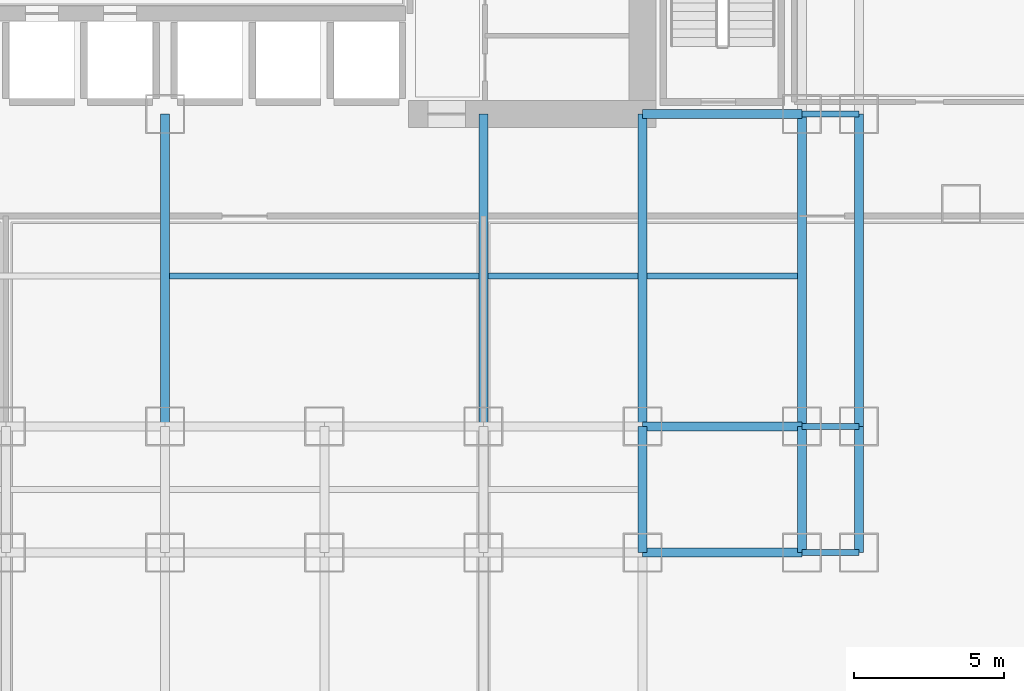
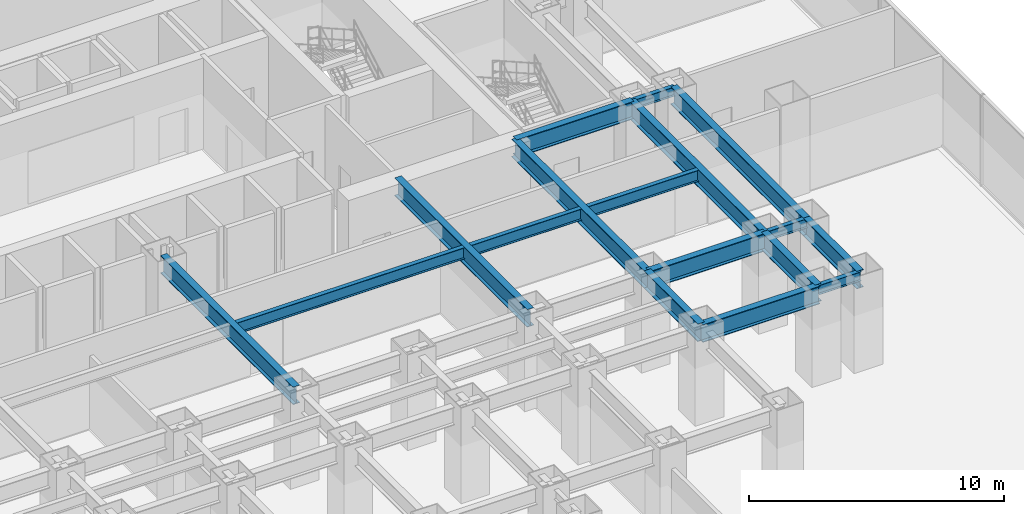
# One storey, part 4 of 13: 17 beams.
"""IFC4 building model written with IfcOpenShell, lengths in metres."""

from ifc_helpers import new_model, si_unit, direction, frame, origin, origin_2d, place, context, subcontext, project, spatial, i_section, extrude, material, material_profile, profile_set, type_object, element, save


model = new_model("IFC4")

# Units and contexts
model_context = context("Model", 3, precision=1e-05, world=origin(), true_north=direction((0.0, 1.0)))
body_context = subcontext(model_context, "Body", "Model", "MODEL_VIEW")
ifc_project = project(units=[si_unit("LENGTHUNIT", "METRE"), si_unit("AREAUNIT", "SQUARE_METRE"), si_unit("VOLUMEUNIT", "CUBIC_METRE"), si_unit("PLANEANGLEUNIT", "RADIAN"), si_unit("MASSUNIT", "GRAM", prefix="KILO")], contexts=[model_context])

# Site, building, storey
site_placement = place(None, origin())
site = spatial("IfcSite", under=ifc_project, at=site_placement, CompositionType="ELEMENT")
building_placement = place(site_placement, origin())
building = spatial("IfcBuilding", under=site, at=building_placement, Name="Qianlan Lanfeng Residences", CompositionType="ELEMENT")
storey_placement = place(building_placement, frame((0.0, 0.0, 9.800048828125)))
storey = spatial("IfcBuildingStorey", under=building, at=storey_placement, Name="L02", CompositionType="ELEMENT", Elevation=9.800048828125)

# Beams
ifc_material = material(Name="Steel SN490B", Category="steel")
ifc_material_profile_1 = material_profile(ifc_material, i_section(OverallWidth=0.300048828125, OverallDepth=0.85009765625, WebThickness=0.01611328125, FlangeThickness=0.031982421875, at=origin_2d()), Name="H 850x300x16x32")
ifc_profile_set_1 = profile_set([ifc_material_profile_1], Name="Steel SN490B")
beam_type_1 = type_object("IfcBeamType", Name="G-1100", PredefinedType="BEAM", material=ifc_profile_set_1)
for number, where, z_axis, x_axis, name in (
    (1, (42.39990234375, 10.60009765625, 3.925048828125), (1.0, 0.0, 0.0), (0.0, 1.0, 0.0), "Structural beam G-1100"),
    (2, (42.39990234375, 14.800048828125, 3.925048828125), (1.0, 0.0, 0.0), (0.0, 1.0, 0.0), "Structural beam G-1100"),
    (3, (42.39990234375, 25.199951171875, 3.925048828125), (1.0, 0.0, 0.0), (0.0, 1.0, 0.0), "Structural beam G-1100"),
):
    element("IfcBeam", number, at=place(storey_placement, frame(where, z_axis=z_axis, x_axis=x_axis)), inside=storey, type_object=beam_type_1, Name=name, PredefinedType="BEAM", context=body_context, shape_type="SweptSolid", body=[
        extrude(i_section(OverallWidth=0.300048828125, OverallDepth=0.85009765625, WebThickness=0.01611328125, FlangeThickness=0.031982421875, at=origin_2d()), origin(), (0.0, 0.0, 1.0), 5.300048828125),
    ])
for number, where, z_axis, x_axis, name in (
    (4, (26.5, 14.800048828125, 3.925048828125), (0.0, 1.0, 0.0), (-1.0, 0.0, 0.0), "Structural beam G-1100"),
    (5, (37.10009765625, 14.800048828125, 3.925048828125), (0.0, 1.0, 0.0), (-1.0, 0.0, 0.0), "Structural beam G-1100"),
):
    element("IfcBeam", number, at=place(storey_placement, frame(where, z_axis=z_axis, x_axis=x_axis)), inside=storey, type_object=beam_type_1, Name=name, PredefinedType="BEAM", context=body_context, shape_type="SweptSolid", body=[
        extrude(i_section(OverallWidth=0.300048828125, OverallDepth=0.85009765625, WebThickness=0.01611328125, FlangeThickness=0.031982421875, at=origin_2d()), origin(), (0.0, 0.0, 1.0), 10.39990234375),
    ])
beam_1_placement = place(storey_placement, frame((42.39990234375, 10.60009765625, 3.925048828125), z_axis=(0.0, 1.0, 0.0), x_axis=(-1.0, 0.0, 0.0)))
element("IfcBeam", 6, at=beam_1_placement, inside=storey, type_object=beam_type_1, Name="Structural beam G-1100", PredefinedType="BEAM", context=body_context, shape_type="SweptSolid", body=[
    extrude(i_section(OverallWidth=0.300048828125, OverallDepth=0.85009765625, WebThickness=0.01611328125, FlangeThickness=0.031982421875, at=origin_2d()), origin(), (0.0, 0.0, 1.0), 4.199951171875),
])
beam_2_placement = place(storey_placement, frame((42.39990234375, 14.800048828125, 3.925048828125), z_axis=(0.0, 1.0, 0.0), x_axis=(-1.0, 0.0, 0.0)))
element("IfcBeam", 7, at=beam_2_placement, inside=storey, type_object=beam_type_1, Name="Structural beam G-1100", PredefinedType="BEAM", context=body_context, shape_type="SweptSolid", body=[
    extrude(i_section(OverallWidth=0.300048828125, OverallDepth=0.85009765625, WebThickness=0.01611328125, FlangeThickness=0.031982421875, at=origin_2d()), origin(), (0.0, 0.0, 1.0), 10.39990234375),
])
beam_3_placement = place(storey_placement, frame((47.699951171875, 10.60009765625, 3.925048828125), z_axis=(0.0, 1.0, 0.0), x_axis=(-1.0, 0.0, 0.0)))
element("IfcBeam", 8, at=beam_3_placement, inside=storey, type_object=beam_type_1, Name="Structural beam G-1100", PredefinedType="BEAM", context=body_context, shape_type="SweptSolid", body=[
    extrude(i_section(OverallWidth=0.300048828125, OverallDepth=0.85009765625, WebThickness=0.01611328125, FlangeThickness=0.031982421875, at=origin_2d()), origin(), (0.0, 0.0, 1.0), 4.199951171875),
])
beam_4_placement = place(storey_placement, frame((47.699951171875, 14.800048828125, 3.925048828125), z_axis=(0.0, 1.0, 0.0), x_axis=(-1.0, 0.0, 0.0)))
element("IfcBeam", 9, at=beam_4_placement, inside=storey, type_object=beam_type_1, Name="Structural beam G-1100", PredefinedType="BEAM", context=body_context, shape_type="SweptSolid", body=[
    extrude(i_section(OverallWidth=0.300048828125, OverallDepth=0.85009765625, WebThickness=0.01611328125, FlangeThickness=0.031982421875, at=origin_2d()), origin(), (0.0, 0.0, 1.0), 10.39990234375),
])
beam_5_placement = place(storey_placement, frame((49.60009765625, 10.60009765625, 3.925048828125), z_axis=(0.0, 1.0, 0.0), x_axis=(-1.0, 0.0, 0.0)))
element("IfcBeam", 10, at=beam_5_placement, inside=storey, type_object=beam_type_1, Name="Structural beam G-1100", PredefinedType="BEAM", context=body_context, shape_type="SweptSolid", body=[
    extrude(i_section(OverallWidth=0.300048828125, OverallDepth=0.85009765625, WebThickness=0.01611328125, FlangeThickness=0.031982421875, at=origin_2d()), origin(), (0.0, 0.0, 1.0), 4.199951171875),
])
beam_6_placement = place(storey_placement, frame((49.60009765625, 14.800048828125, 3.925048828125), z_axis=(0.0, 1.0, 0.0), x_axis=(-1.0, 0.0, 0.0)))
element("IfcBeam", 11, at=beam_6_placement, inside=storey, type_object=beam_type_1, Name="Structural beam G-1100", PredefinedType="BEAM", context=body_context, shape_type="SweptSolid", body=[
    extrude(i_section(OverallWidth=0.300048828125, OverallDepth=0.85009765625, WebThickness=0.01611328125, FlangeThickness=0.031982421875, at=origin_2d()), origin(), (0.0, 0.0, 1.0), 10.39990234375),
])
ifc_material_profile_2 = material_profile(ifc_material, i_section(OverallWidth=0.199951171875, OverallDepth=0.449951171875, WebThickness=0.009033203125, FlangeThickness=0.013916015625, at=origin_2d()), Name="H 450x200x9x14")
ifc_profile_set_2 = profile_set([ifc_material_profile_2], Name="Steel SN490B")
beam_type_2 = type_object("IfcBeamType", Name="J-450", PredefinedType="JOIST", material=ifc_profile_set_2)
for number, where, z_axis, x_axis, name in (
    (12, (47.699951171875, 10.60009765625, 4.125), (1.0, 0.0, 0.0), (0.0, 1.0, 0.0), "Structural beam J-450"),
    (13, (47.699951171875, 14.800048828125, 4.125), (1.0, 0.0, 0.0), (0.0, 1.0, 0.0), "Structural beam J-450"),
    (14, (47.699951171875, 25.199951171875, 4.125), (1.0, 0.0, 0.0), (0.0, 1.0, 0.0), "Structural beam J-450"),
):
    element("IfcBeam", number, at=place(storey_placement, frame(where, z_axis=z_axis, x_axis=x_axis)), inside=storey, type_object=beam_type_2, Name=name, PredefinedType="JOIST", context=body_context, shape_type="SweptSolid", body=[
        extrude(i_section(OverallWidth=0.199951171875, OverallDepth=0.449951171875, WebThickness=0.009033203125, FlangeThickness=0.013916015625, at=origin_2d()), origin(), (0.0, 0.0, 1.0), 1.900146484375),
    ])
ifc_material_profile_3 = material_profile(ifc_material, i_section(OverallWidth=0.199951171875, OverallDepth=0.550048828125, WebThickness=0.010986328125, FlangeThickness=0.01806640625, at=origin_2d()), Name="H 550x200x11x18")
ifc_profile_set_3 = profile_set([ifc_material_profile_3], Name="Steel SN490B")
beam_type_3 = type_object("IfcBeamType", Name="J-550", PredefinedType="JOIST", material=ifc_profile_set_3)
beam_7_placement = place(storey_placement, frame((26.64990234375, 19.800048828125, 4.074951171875), z_axis=(1.0, 0.0, 0.0), x_axis=(0.0, 1.0, 0.0)))
element("IfcBeam", 15, at=beam_7_placement, inside=storey, type_object=beam_type_3, Name="Structural beam J-550", PredefinedType="JOIST", context=body_context, shape_type="SweptSolid", body=[
    extrude(i_section(OverallWidth=0.199951171875, OverallDepth=0.550048828125, WebThickness=0.010986328125, FlangeThickness=0.01806640625, at=origin_2d()), origin(), (0.0, 0.0, 1.0), 10.300048828125),
])
for number, where, z_axis, x_axis, name in (
    (16, (37.25, 19.800048828125, 4.074951171875), (1.0, 0.0, 0.0), (0.0, 1.0, 0.0), "Structural beam J-550"),
    (17, (42.550048828125, 19.800048828125, 4.074951171875), (1.0, 0.0, 0.0), (0.0, 1.0, 0.0), "Structural beam J-550"),
):
    element("IfcBeam", number, at=place(storey_placement, frame(where, z_axis=z_axis, x_axis=x_axis)), inside=storey, type_object=beam_type_3, Name=name, PredefinedType="JOIST", context=body_context, shape_type="SweptSolid", body=[
        extrude(i_section(OverallWidth=0.199951171875, OverallDepth=0.550048828125, WebThickness=0.010986328125, FlangeThickness=0.01806640625, at=origin_2d()), origin(), (0.0, 0.0, 1.0), 5.0),
    ])

save(model, "model.ifc")
